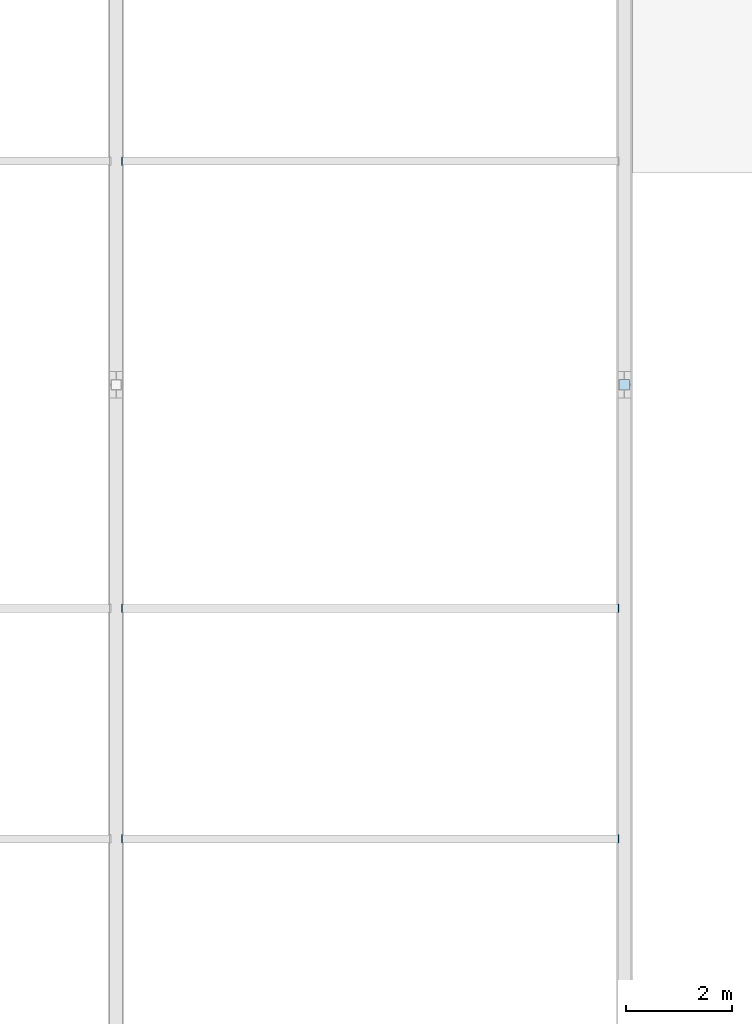
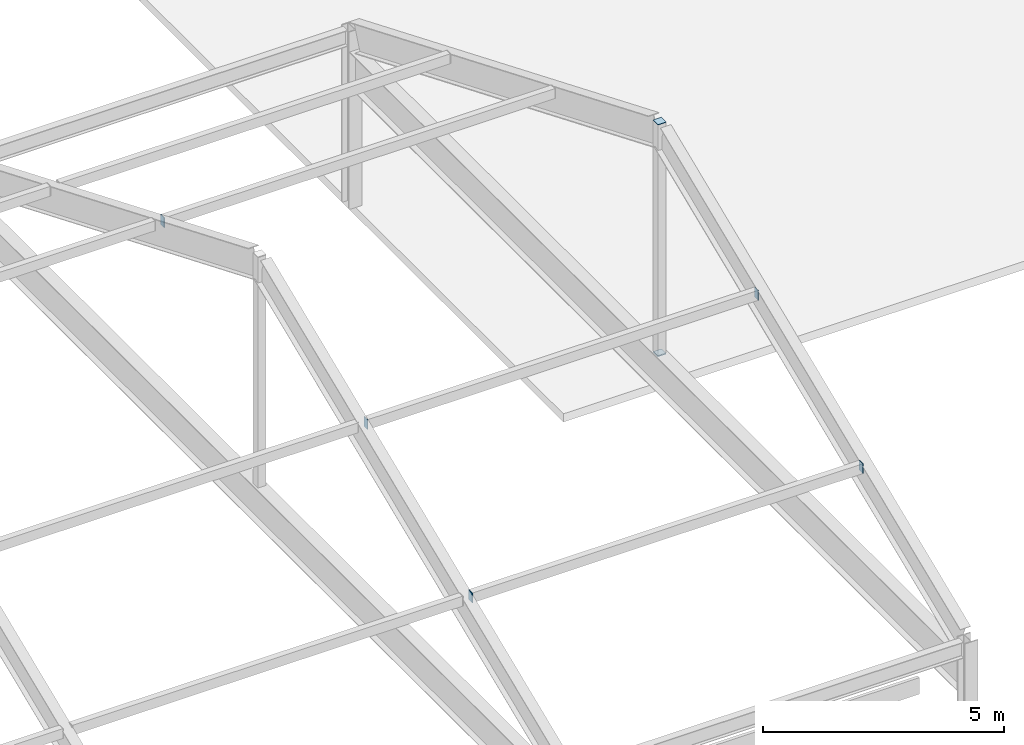
# One storey, part 63 of 88: 7 plates.
"""IFC4 building model written with IfcOpenShell, lengths in metres."""

from ifc_helpers import new_model, si_unit, direction, frame, origin, origin_2d, place, context, subcontext, project, spatial, rectangle, extrude, material, layer, layer_set, type_object, element, save


model = new_model("IFC4")

# Units and contexts
model_context = context("Model", 3, precision=1e-05, world=origin(), true_north=direction((0.0, 1.0)))
body_context = subcontext(model_context, "Body", "Model", "MODEL_VIEW")
ifc_project = project(units=[si_unit("LENGTHUNIT", "METRE"), si_unit("AREAUNIT", "SQUARE_METRE"), si_unit("VOLUMEUNIT", "CUBIC_METRE"), si_unit("PLANEANGLEUNIT", "RADIAN"), si_unit("MASSUNIT", "GRAM", prefix="KILO")], contexts=[model_context])

# Site, building, storey
site_placement = place(None, origin())
site = spatial("IfcSite", under=ifc_project, at=site_placement, CompositionType="ELEMENT")
building_placement = place(site_placement, origin())
building = spatial("IfcBuilding", under=site, at=building_placement, Name="Sarnbrook Museum", CompositionType="ELEMENT")
storey_placement = place(building_placement, frame((0.0, 0.0, 10.10009765625)))
storey = spatial("IfcBuildingStorey", under=building, at=storey_placement, Name="L02", CompositionType="ELEMENT", Elevation=10.10009765625)

# Plates
ifc_material = material(Name="Structural Steel Grade 350L0 (AS/NZS 3678, fy = 340 MPa for 20 < t <= 40 mm)", Category="steel")
ifc_layer_1 = layer(ifc_material, 0.01611328125)
ifc_layer_set_1 = layer_set([ifc_layer_1], Name="Structural Steel Grade 350L0 (AS/NZS 3678, fy = 340 MPa for 20 < t <= 40 mm)")
plate_type_1 = type_object("IfcPlateType", Name="EndCapPlate_CAP200", PredefinedType="USERDEFINED", material=ifc_layer_set_1)
for number, where, z_axis, x_axis, name in (
    (1, (80.800048828125, 17.60009765625, 3.9638671875), (0.0, 0.0, 1.0), (1.0, 0.0, 0.0), "Hollow End Cap Plate AUDTR:80.8:KP-1"),
    (2, (80.800048828125, 17.60009765625, 9.841796875), (0.0, 0.0, 1.0), (1.0, 0.0, 0.0), "Hollow End Cap Plate AUDTR:80.8:KP-2"),
):
    element("IfcPlate", number, at=place(storey_placement, frame(where, z_axis=z_axis, x_axis=x_axis)), inside=storey, type_object=plate_type_1, Name=name, ObjectType="END CAP PLATE", PredefinedType="USERDEFINED", context=body_context, shape_type="SweptSolid", body=[
        extrude(rectangle(XDim=0.199951171875, YDim=0.199951171875, at=origin_2d()), origin(), (0.0, 0.0, 1.0), 0.01611328125),
    ])
ifc_layer_2 = layer(ifc_material, 0.01611328125)
ifc_layer_set_2 = layer_set([ifc_layer_2], Name="Structural Steel Grade 350L0 (AS/NZS 3678, fy = 340 MPa for 20 < t <= 40 mm)")
plate_type_2 = type_object("IfcPlateType", Name="EndCapPlate_CAP250x150", PredefinedType="USERDEFINED", material=ifc_layer_set_2)
for number, where, z_axis, x_axis, name in (
    (3, (71.303955078125, 9.02392578125, 6.32177734375), (1.0, 0.0, 0.0), (0.0, 1.0, 0.0), "Hollow End Cap Plate AUDPR:S:0.33:4-1"),
    (4, (80.679931640625, 9.02392578125, 6.32177734375), (1.0, 0.0, 0.0), (0.0, 1.0, 0.0), "Hollow End Cap Plate AUDPR:S:0.33:4-2"),
    (5, (71.303955078125, 13.3759765625, 8.080078125), (1.0, 0.0, 0.0), (0.0, 1.0, 0.0), "Hollow End Cap Plate AUDPR:S:0.67:4-1"),
    (6, (80.679931640625, 13.3759765625, 8.080078125), (1.0, 0.0, 0.0), (0.0, 1.0, 0.0), "Hollow End Cap Plate AUDPR:S:0.67:4-2"),
    (7, (71.303955078125, 21.823974609375, 8.080078125), (1.0, 0.0, 0.0), (0.0, 1.0, 0.0), "Hollow End Cap Plate AUDPR:N:0.67:4-1"),
):
    element("IfcPlate", number, at=place(storey_placement, frame(where, z_axis=z_axis, x_axis=x_axis)), inside=storey, type_object=plate_type_2, Name=name, ObjectType="END CAP PLATE", PredefinedType="USERDEFINED", context=body_context, shape_type="SweptSolid", body=[
        extrude(rectangle(XDim=0.14990234375, YDim=0.25, at=origin_2d()), origin(), (0.0, 0.0, 1.0), 0.01611328125),
    ])

save(model, "model.ifc")
